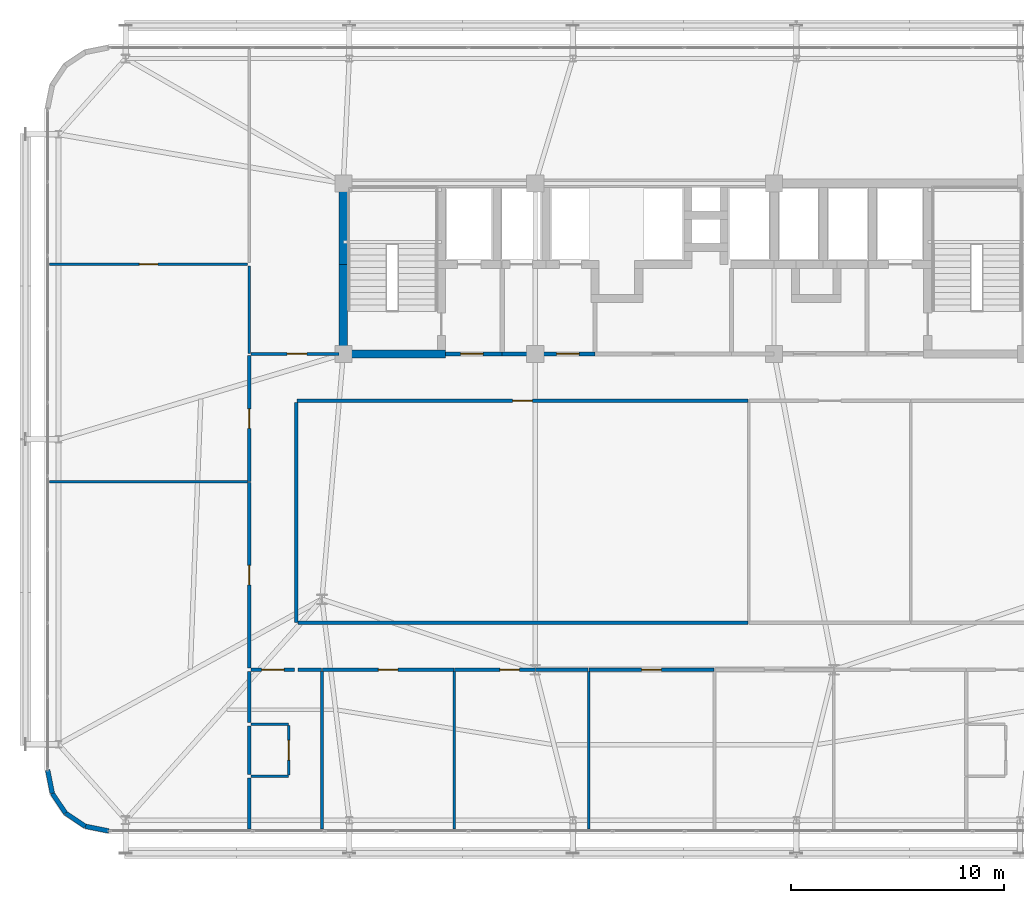
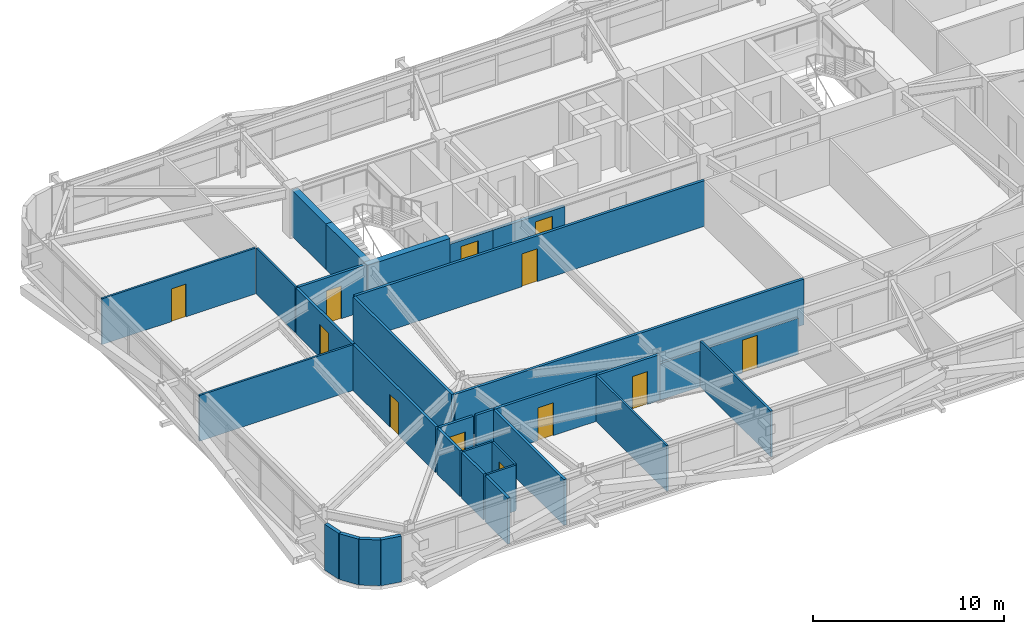
# One storey, part 52 of 58: 33 walls, 12 doors, 12 openings.
"""IFC4 building model written with IfcOpenShell, lengths in metres."""

from ifc_helpers import new_model, si_unit, direction, frame, frame_2d, origin, place, context, subcontext, project, spatial, rectangle, extrude, source, transform, mapped, material, layer, layer_set, type_object, element, fill, save


model = new_model("IFC4")

# Units and contexts
model_context = context("Model", 3, precision=1e-05, world=origin(), true_north=direction((0.0, 1.0)))
body_context = subcontext(model_context, "Body", "Model", "MODEL_VIEW")
ifc_project = project(units=[si_unit("LENGTHUNIT", "METRE"), si_unit("AREAUNIT", "SQUARE_METRE"), si_unit("VOLUMEUNIT", "CUBIC_METRE"), si_unit("PLANEANGLEUNIT", "RADIAN"), si_unit("MASSUNIT", "GRAM", prefix="KILO")], contexts=[model_context])

# Site, building, storey
site_placement = place(None, origin())
site = spatial("IfcSite", under=ifc_project, at=site_placement, CompositionType="ELEMENT")
building_placement = place(site_placement, origin())
building = spatial("IfcBuilding", under=site, at=building_placement, Name="Taldren Reach Tower", CompositionType="ELEMENT")
storey_placement = place(building_placement, frame((0.0, 0.0, 54.60009765625)))
storey = spatial("IfcBuildingStorey", under=building, at=storey_placement, Name="L16", CompositionType="ELEMENT", Elevation=54.60009765625)

# Walls
ifc_material_1 = material(Name="Pale Champagne Anodised Aluminium Cladding", Category="aluminium")
ifc_layer_1 = layer(ifc_material_1, 0.04, Name="Pale Champagne Anodised Aluminium Cladding", Category="aluminium")
ifc_material_2 = material(Name="Mineral Wool Acoustic Insulation", Category="insulation")
ifc_layer_2 = layer(ifc_material_2, 0.06, Name="Mineral Wool Acoustic Insulation", Category="insulation")
ifc_material_3 = material(Name="Steel Gr 350 (C350L0)", Category="steel")
ifc_layer_3 = layer(ifc_material_3, 0.12, Name="Steel Gr 350 (C350L0)", Category="steel")
ifc_layer_set_1 = layer_set([ifc_layer_1, ifc_layer_2, ifc_layer_3], Name="Pale Champagne Aluminium Cladding and Steel Gr 350 Stud Framing")
wall_type_1 = type_object("IfcWallType", Name="EW-CRN-220", PredefinedType="SOLIDWALL", material=ifc_layer_set_1)
shared_shape_1 = source(origin(), body_context, "Body", "SweptSolid", [
    extrude(rectangle(XDim=1.115966796875, YDim=0.219970703125, at=frame_2d((0.55810546875, 0.0))), origin(), (0.0, 0.0, 1.0), 2.929931640625),
])
for number, where, z_axis, x_axis, name in (
    (1, (5.139892578125, 4.5, 0.0), (0.0, 0.0, 1.0), (0.195148375659, -0.98077373103, 0.0), "Rounded-corner pale-metal facade wall L16-SW1"),
    (2, (5.357666015625, 3.405517578125, 0.0), (0.0, 0.0, 1.0), (0.555709556774, -0.83137650226, 0.0), "Rounded-corner pale-metal facade wall L16-SW2"),
    (3, (5.977783203125, 2.477783203125, 0.0), (0.0, 0.0, 1.0), (0.83137650226, -0.555709556774, 0.0), "Rounded-corner pale-metal facade wall L16-SW3"),
    (4, (6.905517578125, 1.857666015625, 0.0), (0.0, 0.0, 1.0), (0.98077373103, -0.195148375659, 0.0), "Rounded-corner pale-metal facade wall L16-SW4"),
):
    element("IfcWall", number, at=place(storey_placement, frame(where, z_axis=z_axis, x_axis=x_axis)), inside=storey, type_object=wall_type_1, Name=name, PredefinedType="SOLIDWALL", context=body_context, shape_type="MappedRepresentation", body=[
        mapped(shared_shape_1, transform((0.0, 0.0, 0.0), scale=1.0)),
    ])
ifc_material_4 = material(Name="Concrete S80 (80 MPa)", Category="concrete")
ifc_layer_4 = layer(ifc_material_4, 0.3798828125)
ifc_layer_set_2 = layer_set([ifc_layer_4], Name="Concrete S80 (80 MPa)")
wall_type_2 = type_object("IfcWallType", Name="IW-CORE-380", PredefinedType="SHEAR", material=ifc_layer_set_2)
shared_shape_2 = source(origin(), body_context, "Body", "SweptSolid", [
    extrude(rectangle(XDim=4.010009765625, YDim=0.3798828125, at=frame_2d((2.0048828125, 0.0))), origin(), (0.0, 0.0, 1.0), 2.929931640625),
])
wall_1_placement = place(storey_placement, frame((19.0, 24.18994140625, 0.0), z_axis=(0.0, 0.0, 1.0), x_axis=(0.0, 1.0, 0.0)))
element("IfcWall", 5, at=wall_1_placement, inside=storey, type_object=wall_type_2, Name="Rear Core Shear Wall W-CORE-L16-WEST1", PredefinedType="SHEAR", context=body_context, shape_type="MappedRepresentation", body=[
    mapped(shared_shape_2, transform((0.0, 0.0, 0.0), scale=1.0)),
])
shared_shape_3 = source(origin(), body_context, "Body", "SweptSolid", [
    extrude(rectangle(XDim=3.610107421875, YDim=0.3798828125, at=frame_2d((1.80517578125, 0.0))), origin(), (0.0, 0.0, 1.0), 2.929931640625),
])
wall_2_placement = place(storey_placement, frame((19.0, 28.199951171875, 0.0), z_axis=(0.0, 0.0, 1.0), x_axis=(0.0, 1.0, 0.0)))
element("IfcWall", 6, at=wall_2_placement, inside=storey, type_object=wall_type_2, Name="Rear Core Shear Wall W-CORE-L16-WEST2", PredefinedType="SHEAR", context=body_context, shape_type="MappedRepresentation", body=[
    mapped(shared_shape_3, transform((0.0, 0.0, 0.0), scale=1.0)),
])
shared_shape_4 = source(origin(), body_context, "Body", "SweptSolid", [
    extrude(rectangle(XDim=4.97998046875, YDim=0.3798828125, at=frame_2d((2.489990234375, 0.0))), origin(), (0.0, 0.0, 1.0), 2.929931640625),
])
wall_3_placement = place(storey_placement, frame((18.81005859375, 24.0, 0.0), z_axis=(0.0, 0.0, 1.0), x_axis=(1.0, 0.0, 0.0)))
element("IfcWall", 7, at=wall_3_placement, inside=storey, type_object=wall_type_2, Name="Rear Core Shear Wall W-INT-L16-003", PredefinedType="SHEAR", context=body_context, shape_type="MappedRepresentation", body=[
    mapped(shared_shape_4, transform((0.0, 0.0, 0.0), scale=1.0)),
])

# Wall, opening, door
ifc_material_5 = material(Name="Concrete S50 (50 MPa)", Category="concrete")
ifc_layer_5 = layer(ifc_material_5, 0.199951171875)
ifc_layer_set_3 = layer_set([ifc_layer_5], Name="Concrete S50 (50 MPa)")
wall_type_3 = type_object("IfcWallType", Name="IW-CORE-200", PredefinedType="SOLIDWALL", material=ifc_layer_set_3)
shared_shape_5 = source(origin(), body_context, "Body", "SweptSolid", [
    extrude(rectangle(XDim=2.659912109375, YDim=0.199951171875, at=frame_2d((1.330078125, 0.0))), origin(), (0.0, 0.0, 1.0), 2.469970703125),
])
wall_4_placement = place(storey_placement, frame((23.7900390625, 24.0, 0.0), z_axis=(0.0, 0.0, 1.0), x_axis=(1.0, 0.0, 0.0)))
wall_4 = element("IfcWall", 8, at=wall_4_placement, inside=storey, type_object=wall_type_3, Name="Rear Core Shear Wall W-INT-L16-007", PredefinedType="SOLIDWALL", context=body_context, shape_type="MappedRepresentation", body=[
    mapped(shared_shape_5, transform((0.0, 0.0, 0.0), scale=1.0)),
])
shared_shape_6 = source(origin(), body_context, "Body", "SweptSolid", [
    extrude(rectangle(XDim=1.050048828125, YDim=2.10009765625, at=frame_2d((0.52490234375, 1.050048828125))), frame((0.0, 0.10986328125, 0.0), z_axis=(0.0, -1.0, 0.0), x_axis=(1.0, 0.0, 0.0)), (0.0, 0.0, 1.0), 0.219970703125),
])
opening_1_placement = place(wall_4_placement, frame((0.7099609375, 0.0, 0.0)))
opening_1 = element("IfcOpeningElement", 9, at=opening_1_placement, cuts=wall_4, Name="Opening DF-105", PredefinedType="OPENING", context=body_context, shape_type="MappedRepresentation", body=[
    mapped(shared_shape_6, transform((0.0, 0.0, 0.0), scale=1.0)),
])
ifc_material_6 = material(Name="Fire-Rated Care and Stair Exit Door")
door_type_1 = type_object("IfcDoorType", Name="ID-FIRE-105", OperationType="NOTDEFINED", PredefinedType="DOOR", material=ifc_material_6)
shared_shape_7 = source(origin(), body_context, "Body", "SweptSolid", [
    extrude(rectangle(XDim=1.050048828125, YDim=2.10009765625, at=frame_2d((0.52490234375, 1.050048828125))), frame((0.0, 0.02490234375, 0.0), z_axis=(0.0, -1.0, 0.0), x_axis=(1.0, 0.0, 0.0)), (0.0, 0.0, 1.0), 0.050048828125),
])
door_1_placement = place(opening_1_placement, origin())
door_1 = element("IfcDoor", 10, at=door_1_placement, inside=storey, type_object=door_type_1, Name="Interior Door DR-L16-002", OperationType="SINGLE_SWING_LEFT", OverallHeight=2.10009765625, OverallWidth=1.050048828125, PredefinedType="DOOR", context=body_context, shape_type="MappedRepresentation", body=[
    mapped(shared_shape_7, transform((0.0, 0.0, 0.0), scale=1.0)),
])
fill(opening_1, door_1)

shared_shape_8 = source(origin(), body_context, "Body", "SweptSolid", [
    extrude(rectangle(XDim=4.35009765625, YDim=0.199951171875, at=frame_2d((2.175048828125, 0.0))), origin(), (0.0, 0.0, 1.0), 2.469970703125),
])
wall_5_placement = place(storey_placement, frame((30.800048828125, 24.0, 0.0), z_axis=(0.0, 0.0, 1.0), x_axis=(-1.0, 0.0, 0.0)))
wall_5 = element("IfcWall", 11, at=wall_5_placement, inside=storey, type_object=wall_type_3, Name="Rear Core Shear Wall W-INT-L16-033", PredefinedType="SOLIDWALL", context=body_context, shape_type="MappedRepresentation", body=[
    mapped(shared_shape_8, transform((0.0, 0.0, 0.0), scale=1.0)),
])
opening_2_placement = place(wall_5_placement, frame((0.75, 0.0, 0.0)))
opening_2 = element("IfcOpeningElement", 12, at=opening_2_placement, cuts=wall_5, Name="Opening DF-105", PredefinedType="OPENING", context=body_context, shape_type="MappedRepresentation", body=[
    mapped(shared_shape_6, transform((0.0, 0.0, 0.0), scale=1.0)),
])
door_2_placement = place(opening_2_placement, frame((1.050048828125, 0.0, 0.0), z_axis=(0.0, 0.0, 1.0), x_axis=(-1.0, 0.0, 0.0)))
door_2 = element("IfcDoor", 13, at=door_2_placement, inside=storey, type_object=door_type_1, Name="Interior Door DR-L16-005", OperationType="SINGLE_SWING_RIGHT", OverallHeight=2.10009765625, OverallWidth=1.050048828125, PredefinedType="DOOR", context=body_context, shape_type="MappedRepresentation", body=[
    mapped(shared_shape_7, transform((0.0, 0.0, 0.0), scale=1.0)),
])
fill(opening_2, door_2)

# Wall
ifc_material_7 = material(Name="Fire-Rated Acoustic Plasterboard Stud Wall", Category="gypsum")
ifc_layer_6 = layer(ifc_material_7, 0.159912109375)
ifc_layer_set_4 = layer_set([ifc_layer_6], Name="Fire-Rated Acoustic Plasterboard Stud Wall")
wall_type_4 = type_object("IfcWallType", Name="IW-FIRE-160", PredefinedType="PARTITIONING", material=ifc_layer_set_4)
shared_shape_9 = source(origin(), body_context, "Body", "SweptSolid", [
    extrude(rectangle(XDim=10.2998046875, YDim=0.159912109375, at=frame_2d((5.14990234375, 0.0))), origin(), (0.0, 0.0, 1.0), 2.929931640625),
])
wall_6_placement = place(storey_placement, frame((16.800048828125, 21.719970703125, 0.0), z_axis=(0.0, 0.0, 1.0), x_axis=(0.0, -1.0, 0.0)))
element("IfcWall", 14, at=wall_6_placement, inside=storey, type_object=wall_type_4, Name="Interior Partition Wall W-INT-L16-046", PredefinedType="PARTITIONING", context=body_context, shape_type="MappedRepresentation", body=[
    mapped(shared_shape_9, transform((0.0, 0.0, 0.0), scale=1.0)),
])

# Wall, opening, door
shared_shape_10 = source(origin(), body_context, "Body", "SweptSolid", [
    extrude(rectangle(XDim=2.0400390625, YDim=0.159912109375, at=frame_2d((1.02001953125, 0.0))), origin(), (0.0, 0.0, 1.0), 2.929931640625),
])
wall_7_placement = place(storey_placement, frame((16.719970703125, 9.199951171875, 0.0), z_axis=(0.0, 0.0, 1.0), x_axis=(-1.0, 0.0, 0.0)))
wall_7 = element("IfcWall", 15, at=wall_7_placement, inside=storey, type_object=wall_type_4, Name="Interior Partition Wall W-INT-L16-050", PredefinedType="PARTITIONING", context=body_context, shape_type="MappedRepresentation", body=[
    mapped(shared_shape_10, transform((0.0, 0.0, 0.0), scale=1.0)),
])
shared_shape_11 = source(origin(), body_context, "Body", "SweptSolid", [
    extrude(rectangle(XDim=1.050048828125, YDim=2.10009765625, at=frame_2d((0.52490234375, 1.050048828125))), frame((0.0, 0.08984375, 0.0), z_axis=(0.0, -1.0, 0.0), x_axis=(1.0, 0.0, 0.0)), (0.0, 0.0, 1.0), 0.179931640625),
])
opening_3_placement = place(wall_7_placement, frame((0.4951171875, 0.0, 0.0)))
opening_3 = element("IfcOpeningElement", 16, at=opening_3_placement, cuts=wall_7, Name="Opening DF-105", PredefinedType="OPENING", context=body_context, shape_type="MappedRepresentation", body=[
    mapped(shared_shape_11, transform((0.0, 0.0, 0.0), scale=1.0)),
])
door_3_placement = place(opening_3_placement, origin())
door_3 = element("IfcDoor", 17, at=door_3_placement, inside=storey, type_object=door_type_1, Name="Interior Door DR-L16-011", OperationType="SINGLE_SWING_RIGHT", OverallHeight=2.10009765625, OverallWidth=1.050048828125, PredefinedType="DOOR", context=body_context, shape_type="MappedRepresentation", body=[
    mapped(shared_shape_7, transform((0.0, 0.0, 0.0), scale=1.0)),
])
fill(opening_3, door_3)

shared_shape_12 = source(origin(), body_context, "Body", "SweptSolid", [
    extrude(rectangle(XDim=4.130126953125, YDim=0.159912109375, at=frame_2d((2.06494140625, 0.0))), origin(), (0.0, 0.0, 1.0), 2.929931640625),
])
wall_8_placement = place(storey_placement, frame((14.679931640625, 24.0, 0.0), z_axis=(0.0, 0.0, 1.0), x_axis=(1.0, 0.0, 0.0)))
wall_8 = element("IfcWall", 18, at=wall_8_placement, inside=storey, type_object=wall_type_4, Name="Interior Partition Wall W-INT-L16-058", PredefinedType="PARTITIONING", context=body_context, shape_type="MappedRepresentation", body=[
    mapped(shared_shape_12, transform((0.0, 0.0, 0.0), scale=1.0)),
])
shared_shape_13 = source(origin(), body_context, "Body", "SweptSolid", [
    extrude(rectangle(XDim=0.919921875, YDim=2.10009765625, at=frame_2d((0.4599609375, 1.050048828125))), frame((0.0, 0.08984375, 0.0), z_axis=(0.0, -1.0, 0.0), x_axis=(1.0, 0.0, 0.0)), (0.0, 0.0, 1.0), 0.179931640625),
])
opening_4_placement = place(wall_8_placement, frame((1.68994140625, 0.0, 0.0)))
opening_4 = element("IfcOpeningElement", 19, at=opening_4_placement, cuts=wall_8, Name="Opening DI-092", PredefinedType="OPENING", context=body_context, shape_type="MappedRepresentation", body=[
    mapped(shared_shape_13, transform((0.0, 0.0, 0.0), scale=1.0)),
])
ifc_material_8 = material(Name="Solid-Core Timber Suite Door", Category="wood")
door_type_2 = type_object("IfcDoorType", Name="ID-INT-092", OperationType="NOTDEFINED", PredefinedType="DOOR", material=ifc_material_8)
shared_shape_14 = source(origin(), body_context, "Body", "SweptSolid", [
    extrude(rectangle(XDim=0.919921875, YDim=2.10009765625, at=frame_2d((0.4599609375, 1.050048828125))), frame((0.0, 0.02490234375, 0.0), z_axis=(0.0, -1.0, 0.0), x_axis=(1.0, 0.0, 0.0)), (0.0, 0.0, 1.0), 0.050048828125),
])
door_4_placement = place(opening_4_placement, origin())
door_4 = element("IfcDoor", 20, at=door_4_placement, inside=storey, type_object=door_type_2, Name="Interior Door DR-L16-019", OperationType="SINGLE_SWING_RIGHT", OverallHeight=2.10009765625, OverallWidth=0.919921875, PredefinedType="DOOR", context=body_context, shape_type="MappedRepresentation", body=[
    mapped(shared_shape_14, transform((0.0, 0.0, 0.0), scale=1.0)),
])
fill(opening_4, door_4)

# Walls
ifc_material_9 = material(Name="Insulated Residential Stud Partition", Category="gypsum")
ifc_layer_7 = layer(ifc_material_9, 0.1201171875)
ifc_layer_set_5 = layer_set([ifc_layer_7], Name="Insulated Residential Stud Partition")
wall_type_5 = type_object("IfcWallType", Name="IW-PART-120", PredefinedType="PARTITIONING", material=ifc_layer_set_5)
shared_shape_15 = source(origin(), body_context, "Body", "SweptSolid", [
    extrude(rectangle(XDim=7.39013671875, YDim=0.1201171875, at=frame_2d((3.695068359375, 0.0))), origin(), (0.0, 0.0, 1.0), 2.929931640625),
])
for number, where, z_axis, x_axis, name in (
    (21, (24.199951171875, 9.1201171875, 0.0), (0.0, 0.0, 1.0), (0.0, -1.0, 0.0), "Interior Partition Wall W-INT-L16-080"),
    (22, (30.5, 9.1201171875, 0.0), (0.0, 0.0, 1.0), (0.0, -1.0, 0.0), "Interior Partition Wall W-INT-L16-081"),
):
    element("IfcWall", number, at=place(storey_placement, frame(where, z_axis=z_axis, x_axis=x_axis)), inside=storey, type_object=wall_type_5, Name=name, PredefinedType="PARTITIONING", context=body_context, shape_type="MappedRepresentation", body=[
        mapped(shared_shape_15, transform((0.0, 0.0, 0.0), scale=1.0)),
    ])
shared_shape_16 = source(origin(), body_context, "Body", "SweptSolid", [
    extrude(rectangle(XDim=1.099853515625, YDim=0.159912109375, at=frame_2d((0.5498046875, 0.0))), origin(), (0.0, 0.0, 1.0), 2.929931640625),
])
wall_9_placement = place(storey_placement, frame((17.979736328125, 9.199951171875, 0.0), z_axis=(0.0, 0.0, 1.0), x_axis=(-1.0, 0.0, 0.0)))
element("IfcWall", 23, at=wall_9_placement, inside=storey, type_object=wall_type_4, Name="Interior Partition Wall W-INT-L16-063", PredefinedType="PARTITIONING", context=body_context, shape_type="MappedRepresentation", body=[
    mapped(shared_shape_16, transform((0.0, 0.0, 0.0), scale=1.0)),
])

# Wall, opening, door
shared_shape_17 = source(origin(), body_context, "Body", "SweptSolid", [
    extrude(rectangle(XDim=2.330078125, YDim=0.1201171875, at=frame_2d((1.1650390625, 0.0))), origin(), (0.0, 0.0, 1.0), 2.929931640625),
])
wall_10_placement = place(storey_placement, frame((16.449951171875, 4.260009765625, 0.0), z_axis=(0.0, 0.0, 1.0), x_axis=(0.0, 1.0, 0.0)))
wall_10 = element("IfcWall", 24, at=wall_10_placement, inside=storey, type_object=wall_type_5, Name="Interior Partition Wall W-INT-L16-073", PredefinedType="PARTITIONING", context=body_context, shape_type="MappedRepresentation", body=[
    mapped(shared_shape_17, transform((0.0, 0.0, 0.0), scale=1.0)),
])
shared_shape_18 = source(origin(), body_context, "Body", "SweptSolid", [
    extrude(rectangle(XDim=0.919921875, YDim=2.10009765625, at=frame_2d((0.4599609375, 1.050048828125))), frame((0.0, 0.070068359375, 0.0), z_axis=(0.0, -1.0, 0.0), x_axis=(1.0, 0.0, 0.0)), (0.0, 0.0, 1.0), 0.14013671875),
])
opening_5_placement = place(wall_10_placement, frame((0.705078125, 0.0, 0.0)))
opening_5 = element("IfcOpeningElement", 25, at=opening_5_placement, cuts=wall_10, Name="Opening DI-092", PredefinedType="OPENING", context=body_context, shape_type="MappedRepresentation", body=[
    mapped(shared_shape_18, transform((0.0, 0.0, 0.0), scale=1.0)),
])
door_5_placement = place(opening_5_placement, origin())
door_5 = element("IfcDoor", 26, at=door_5_placement, inside=storey, type_object=door_type_2, Name="Interior Door DR-L16-026", OperationType="SINGLE_SWING_LEFT", OverallHeight=2.10009765625, OverallWidth=0.919921875, PredefinedType="DOOR", context=body_context, shape_type="MappedRepresentation", body=[
    mapped(shared_shape_14, transform((0.0, 0.0, 0.0), scale=1.0)),
])
fill(opening_5, door_5)

# Walls
shared_shape_19 = source(origin(), body_context, "Body", "SweptSolid", [
    extrude(rectangle(XDim=1.749755859375, YDim=0.1201171875, at=frame_2d((0.875, 0.0))), origin(), (0.0, 0.0, 1.0), 2.929931640625),
])
for number, where, z_axis, x_axis, name in (
    (27, (14.679931640625, 4.199951171875, 0.0), (0.0, 0.0, 1.0), (1.0, 0.0, 0.0), "Interior Partition Wall W-INT-L16-074"),
    (28, (16.4296875, 6.64990234375, 0.0), (0.0, 0.0, 1.0), (-1.0, 0.0, 0.0), "Interior Partition Wall W-INT-L16-075"),
):
    element("IfcWall", number, at=place(storey_placement, frame(where, z_axis=z_axis, x_axis=x_axis)), inside=storey, type_object=wall_type_5, Name=name, PredefinedType="PARTITIONING", context=body_context, shape_type="MappedRepresentation", body=[
        mapped(shared_shape_19, transform((0.0, 0.0, 0.0), scale=1.0)),
    ])
shared_shape_20 = source(origin(), body_context, "Body", "SweptSolid", [
    extrude(rectangle(XDim=2.38818359375, YDim=0.159912109375, at=frame_2d((1.194091796875, 0.0))), origin(), (0.0, 0.0, 1.0), 2.929931640625),
])
wall_11_placement = place(storey_placement, frame((14.60009765625, 1.73193359375, 0.0), z_axis=(0.0, 0.0, 1.0), x_axis=(0.0, 1.0, 0.0)))
element("IfcWall", 29, at=wall_11_placement, inside=storey, type_object=wall_type_4, Name="Interior Partition Wall W-INT-L16-077", PredefinedType="PARTITIONING", context=body_context, shape_type="MappedRepresentation", body=[
    mapped(shared_shape_20, transform((0.0, 0.0, 0.0), scale=1.0)),
])
shared_shape_21 = source(origin(), body_context, "Body", "SweptSolid", [
    extrude(rectangle(XDim=2.387939453125, YDim=0.159912109375, at=frame_2d((1.19384765625, 0.0))), origin(), (0.0, 0.0, 1.0), 2.929931640625),
])
wall_12_placement = place(storey_placement, frame((14.60009765625, 6.72998046875, 0.0), z_axis=(0.0, 0.0, 1.0), x_axis=(0.0, 1.0, 0.0)))
element("IfcWall", 30, at=wall_12_placement, inside=storey, type_object=wall_type_4, Name="Interior Partition Wall W-INT-L16-078", PredefinedType="PARTITIONING", context=body_context, shape_type="MappedRepresentation", body=[
    mapped(shared_shape_21, transform((0.0, 0.0, 0.0), scale=1.0)),
])
shared_shape_22 = source(origin(), body_context, "Body", "SweptSolid", [
    extrude(rectangle(XDim=2.2900390625, YDim=0.159912109375, at=frame_2d((1.14501953125, 0.0))), origin(), (0.0, 0.0, 1.0), 2.929931640625),
])
wall_13_placement = place(storey_placement, frame((14.60009765625, 4.280029296875, 0.0), z_axis=(0.0, 0.0, 1.0), x_axis=(0.0, 1.0, 0.0)))
element("IfcWall", 31, at=wall_13_placement, inside=storey, type_object=wall_type_4, Name="Interior Partition Wall W-INT-L16-079", PredefinedType="PARTITIONING", context=body_context, shape_type="MappedRepresentation", body=[
    mapped(shared_shape_22, transform((0.0, 0.0, 0.0), scale=1.0)),
])
shared_shape_23 = source(origin(), body_context, "Body", "SweptSolid", [
    extrude(rectangle(XDim=7.385986328125, YDim=0.159912109375, at=frame_2d((3.69287109375, 0.0))), origin(), (0.0, 0.0, 1.0), 2.929931640625),
])
wall_14_placement = place(storey_placement, frame((18.0, 9.117919921875, 0.0), z_axis=(0.0, 0.0, 1.0), x_axis=(0.0, -1.0, 0.0)))
element("IfcWall", 32, at=wall_14_placement, inside=storey, type_object=wall_type_4, Name="Interior Partition Wall W-INT-L16-076", PredefinedType="PARTITIONING", context=body_context, shape_type="MappedRepresentation", body=[
    mapped(shared_shape_23, transform((0.0, 0.0, 0.0), scale=1.0)),
])
shared_shape_24 = source(origin(), body_context, "Body", "SweptSolid", [
    extrude(rectangle(XDim=9.2861328125, YDim=0.1201171875, at=frame_2d((4.64306640625, 0.0))), origin(), (0.0, 0.0, 1.0), 2.929931640625),
])
wall_15_placement = place(storey_placement, frame((5.23193359375, 18.0, 0.0), z_axis=(0.0, 0.0, 1.0), x_axis=(1.0, 0.0, 0.0)))
element("IfcWall", 33, at=wall_15_placement, inside=storey, type_object=wall_type_5, Name="Interior Partition Wall W-INT-L16-097", PredefinedType="PARTITIONING", context=body_context, shape_type="MappedRepresentation", body=[
    mapped(shared_shape_24, transform((0.0, 0.0, 0.0), scale=1.0)),
])

# Wall, opening, door
wall_16_placement = place(storey_placement, frame((5.23193359375, 28.199951171875, 0.0), z_axis=(0.0, 0.0, 1.0), x_axis=(1.0, 0.0, 0.0)))
wall_16 = element("IfcWall", 34, at=wall_16_placement, inside=storey, type_object=wall_type_5, Name="Interior Partition Wall W-INT-L16-098", PredefinedType="PARTITIONING", context=body_context, shape_type="MappedRepresentation", body=[
    mapped(shared_shape_24, transform((0.0, 0.0, 0.0), scale=1.0)),
])
shared_shape_25 = source(origin(), body_context, "Body", "SweptSolid", [
    extrude(rectangle(XDim=0.860107421875, YDim=2.10009765625, at=frame_2d((0.43017578125, 1.050048828125))), frame((0.0, 0.070068359375, 0.0), z_axis=(0.0, -1.0, 0.0), x_axis=(1.0, 0.0, 0.0)), (0.0, 0.0, 1.0), 0.14013671875),
])
opening_6_placement = place(wall_16_placement, frame((4.212890625, 0.0, 0.0)))
opening_6 = element("IfcOpeningElement", 35, at=opening_6_placement, cuts=wall_16, Name="Opening DI-086", PredefinedType="OPENING", context=body_context, shape_type="MappedRepresentation", body=[
    mapped(shared_shape_25, transform((0.0, 0.0, 0.0), scale=1.0)),
])
ifc_material_10 = material(Name="Timber Bathroom Door", Category="wood")
door_type_3 = type_object("IfcDoorType", Name="ID-INT-086", OperationType="NOTDEFINED", PredefinedType="DOOR", material=ifc_material_10)
shared_shape_26 = source(origin(), body_context, "Body", "SweptSolid", [
    extrude(rectangle(XDim=0.860107421875, YDim=2.10009765625, at=frame_2d((0.43017578125, 1.050048828125))), frame((0.0, 0.02490234375, 0.0), z_axis=(0.0, -1.0, 0.0), x_axis=(1.0, 0.0, 0.0)), (0.0, 0.0, 1.0), 0.050048828125),
])
door_6_placement = place(opening_6_placement, origin())
door_6 = element("IfcDoor", 36, at=door_6_placement, inside=storey, type_object=door_type_3, Name="Interior Door DR-L16-029", OperationType="SINGLE_SWING_RIGHT", OverallHeight=2.10009765625, OverallWidth=0.860107421875, PredefinedType="DOOR", context=body_context, shape_type="MappedRepresentation", body=[
    mapped(shared_shape_26, transform((0.0, 0.0, 0.0), scale=1.0)),
])
fill(opening_6, door_6)

shared_shape_27 = source(origin(), body_context, "Body", "SweptSolid", [
    extrude(rectangle(XDim=21.159423828125, YDim=0.159912109375, at=frame_2d((10.57958984375, 0.0))), origin(), (0.0, 0.0, 1.0), 2.929931640625),
])
wall_17_placement = place(storey_placement, frame((37.979736328125, 21.800048828125, 0.0), z_axis=(0.0, 0.0, 1.0), x_axis=(-1.0, 0.0, 0.0)))
wall_17 = element("IfcWall", 37, at=wall_17_placement, inside=storey, type_object=wall_type_4, Name="Interior Partition Wall W-INT-L16-045", PredefinedType="PARTITIONING", context=body_context, shape_type="MappedRepresentation", body=[
    mapped(shared_shape_27, transform((0.0, 0.0, 0.0), scale=1.0)),
])
opening_7_placement = place(wall_17_placement, frame((10.119873046875, 0.0, 0.0)))
opening_7 = element("IfcOpeningElement", 38, at=opening_7_placement, cuts=wall_17, Name="Opening DI-092", PredefinedType="OPENING", context=body_context, shape_type="MappedRepresentation", body=[
    mapped(shared_shape_13, transform((0.0, 0.0, 0.0), scale=1.0)),
])
door_7_placement = place(opening_7_placement, origin())
door_7 = element("IfcDoor", 39, at=door_7_placement, inside=storey, type_object=door_type_2, Name="Interior Door DR-L16-008", OperationType="SINGLE_SWING_LEFT", OverallHeight=2.10009765625, OverallWidth=0.919921875, PredefinedType="DOOR", context=body_context, shape_type="MappedRepresentation", body=[
    mapped(shared_shape_14, transform((0.0, 0.0, 0.0), scale=1.0)),
])
fill(opening_7, door_7)

shared_shape_28 = source(origin(), body_context, "Body", "SweptSolid", [
    extrude(rectangle(XDim=8.69970703125, YDim=0.159912109375, at=frame_2d((4.349853515625, 0.0))), origin(), (0.0, 0.0, 1.0), 2.929931640625),
])
wall_18_placement = place(storey_placement, frame((14.60009765625, 9.280029296875, 0.0), z_axis=(0.0, 0.0, 1.0), x_axis=(0.0, 1.0, 0.0)))
wall_18 = element("IfcWall", 40, at=wall_18_placement, inside=storey, type_object=wall_type_4, Name="Interior Partition Wall W-INT-L16-052", PredefinedType="PARTITIONING", context=body_context, shape_type="MappedRepresentation", body=[
    mapped(shared_shape_28, transform((0.0, 0.0, 0.0), scale=1.0)),
])
opening_8_placement = place(wall_18_placement, frame((3.889892578125, 0.0, 0.0)))
opening_8 = element("IfcOpeningElement", 41, at=opening_8_placement, cuts=wall_18, Name="Opening DI-092", PredefinedType="OPENING", context=body_context, shape_type="MappedRepresentation", body=[
    mapped(shared_shape_13, transform((0.0, 0.0, 0.0), scale=1.0)),
])
door_8_placement = place(opening_8_placement, origin())
door_8 = element("IfcDoor", 42, at=door_8_placement, inside=storey, type_object=door_type_2, Name="Interior Door DR-L16-013", OperationType="SINGLE_SWING_RIGHT", OverallHeight=2.10009765625, OverallWidth=0.919921875, PredefinedType="DOOR", context=body_context, shape_type="MappedRepresentation", body=[
    mapped(shared_shape_14, transform((0.0, 0.0, 0.0), scale=1.0)),
])
fill(opening_8, door_8)

shared_shape_29 = source(origin(), body_context, "Body", "SweptSolid", [
    extrude(rectangle(XDim=5.899658203125, YDim=0.159912109375, at=frame_2d((2.94970703125, 0.0))), origin(), (0.0, 0.0, 1.0), 2.929931640625),
])
wall_19_placement = place(storey_placement, frame((14.60009765625, 18.020263671875, 0.0), z_axis=(0.0, 0.0, 1.0), x_axis=(0.0, 1.0, 0.0)))
wall_19 = element("IfcWall", 43, at=wall_19_placement, inside=storey, type_object=wall_type_4, Name="Interior Partition Wall W-INT-L16-053", PredefinedType="PARTITIONING", context=body_context, shape_type="MappedRepresentation", body=[
    mapped(shared_shape_29, transform((0.0, 0.0, 0.0), scale=1.0)),
])
opening_9_placement = place(wall_19_placement, frame((2.489990234375, 0.0, 0.0)))
opening_9 = element("IfcOpeningElement", 44, at=opening_9_placement, cuts=wall_19, Name="Opening DI-092", PredefinedType="OPENING", context=body_context, shape_type="MappedRepresentation", body=[
    mapped(shared_shape_13, transform((0.0, 0.0, 0.0), scale=1.0)),
])
door_9_placement = place(opening_9_placement, origin())
door_9 = element("IfcDoor", 45, at=door_9_placement, inside=storey, type_object=door_type_2, Name="Interior Door DR-L16-014", OperationType="SINGLE_SWING_LEFT", OverallHeight=2.10009765625, OverallWidth=0.919921875, PredefinedType="DOOR", context=body_context, shape_type="MappedRepresentation", body=[
    mapped(shared_shape_14, transform((0.0, 0.0, 0.0), scale=1.0)),
])
fill(opening_9, door_9)

# Wall
shared_shape_30 = source(origin(), body_context, "Body", "SweptSolid", [
    extrude(rectangle(XDim=21.099853515625, YDim=0.159912109375, at=frame_2d((10.5498046875, 0.0))), origin(), (0.0, 0.0, 1.0), 2.929931640625),
])
wall_20_placement = place(storey_placement, frame((16.8798828125, 11.39990234375, 0.0), z_axis=(0.0, 0.0, 1.0), x_axis=(1.0, 0.0, 0.0)))
element("IfcWall", 46, at=wall_20_placement, inside=storey, type_object=wall_type_4, Name="Interior Partition Wall W-INT-L16-060", PredefinedType="PARTITIONING", context=body_context, shape_type="MappedRepresentation", body=[
    mapped(shared_shape_30, transform((0.0, 0.0, 0.0), scale=1.0)),
])

# Wall, opening, door
shared_shape_31 = source(origin(), body_context, "Body", "SweptSolid", [
    extrude(rectangle(XDim=6.159423828125, YDim=0.159912109375, at=frame_2d((3.07958984375, 0.0))), origin(), (0.0, 0.0, 1.0), 2.929931640625),
])
wall_21_placement = place(storey_placement, frame((24.1796875, 9.199951171875, 0.0), z_axis=(0.0, 0.0, 1.0), x_axis=(-1.0, 0.0, 0.0)))
wall_21 = element("IfcWall", 47, at=wall_21_placement, inside=storey, type_object=wall_type_4, Name="Interior Partition Wall W-INT-L16-064", PredefinedType="PARTITIONING", context=body_context, shape_type="MappedRepresentation", body=[
    mapped(shared_shape_31, transform((0.0, 0.0, 0.0), scale=1.0)),
])
opening_10_placement = place(wall_21_placement, frame((2.619873046875, 0.0, 0.0)))
opening_10 = element("IfcOpeningElement", 48, at=opening_10_placement, cuts=wall_21, Name="Opening DI-092", PredefinedType="OPENING", context=body_context, shape_type="MappedRepresentation", body=[
    mapped(shared_shape_13, transform((0.0, 0.0, 0.0), scale=1.0)),
])
door_10_placement = place(opening_10_placement, origin())
door_10 = element("IfcDoor", 49, at=door_10_placement, inside=storey, type_object=door_type_2, Name="Interior Door DR-L16-020", OperationType="SINGLE_SWING_LEFT", OverallHeight=2.10009765625, OverallWidth=0.919921875, PredefinedType="DOOR", context=body_context, shape_type="MappedRepresentation", body=[
    mapped(shared_shape_14, transform((0.0, 0.0, 0.0), scale=1.0)),
])
fill(opening_10, door_10)

shared_shape_32 = source(origin(), body_context, "Body", "SweptSolid", [
    extrude(rectangle(XDim=3.77978515625, YDim=0.159912109375, at=frame_2d((1.889892578125, 0.0))), origin(), (0.0, 0.0, 1.0), 2.929931640625),
])
wall_22_placement = place(storey_placement, frame((28.0, 9.199951171875, 0.0), z_axis=(0.0, 0.0, 1.0), x_axis=(-1.0, 0.0, 0.0)))
wall_22 = element("IfcWall", 50, at=wall_22_placement, inside=storey, type_object=wall_type_4, Name="Interior Partition Wall W-INT-L16-065 part 2", PredefinedType="PARTITIONING", context=body_context, shape_type="MappedRepresentation", body=[
    mapped(shared_shape_32, transform((0.0, 0.0, 0.0), scale=1.0)),
])
opening_11_placement = place(wall_22_placement, frame((0.739990234375, 0.0, 0.0)))
opening_11 = element("IfcOpeningElement", 51, at=opening_11_placement, cuts=wall_22, Name="Opening DI-092", PredefinedType="OPENING", context=body_context, shape_type="MappedRepresentation", body=[
    mapped(shared_shape_13, transform((0.0, 0.0, 0.0), scale=1.0)),
])
door_11_placement = place(opening_11_placement, origin())
door_11 = element("IfcDoor", 52, at=door_11_placement, inside=storey, type_object=door_type_2, Name="Interior Door DR-L16-021", OperationType="SINGLE_SWING_RIGHT", OverallHeight=2.10009765625, OverallWidth=0.919921875, PredefinedType="DOOR", context=body_context, shape_type="MappedRepresentation", body=[
    mapped(shared_shape_14, transform((0.0, 0.0, 0.0), scale=1.0)),
])
fill(opening_11, door_11)

# Walls
shared_shape_33 = source(origin(), body_context, "Body", "SweptSolid", [
    extrude(rectangle(XDim=4.09765625, YDim=0.1201171875, at=frame_2d((2.048828125, 0.0))), origin(), (0.0, 0.0, 1.0), 2.929931640625),
])
wall_23_placement = place(storey_placement, frame((14.60009765625, 28.117919921875, 0.0), z_axis=(0.0, 0.0, 1.0), x_axis=(0.0, -1.0, 0.0)))
element("IfcWall", 53, at=wall_23_placement, inside=storey, type_object=wall_type_5, Name="Interior Partition Wall W-INT-L16-099", PredefinedType="PARTITIONING", context=body_context, shape_type="MappedRepresentation", body=[
    mapped(shared_shape_33, transform((0.0, 0.0, 0.0), scale=1.0)),
])
shared_shape_34 = source(origin(), body_context, "Body", "SweptSolid", [
    extrude(rectangle(XDim=2.479736328125, YDim=0.159912109375, at=frame_2d((1.23974609375, 0.0))), origin(), (0.0, 0.0, 1.0), 2.327880859375),
])
wall_24_placement = place(storey_placement, frame((30.479736328125, 9.199951171875, 0.0), z_axis=(0.0, 0.0, 1.0), x_axis=(-1.0, 0.0, 0.0)))
element("IfcWall", 54, at=wall_24_placement, inside=storey, type_object=wall_type_4, Name="Interior Partition Wall W-INT-L16-065", PredefinedType="PARTITIONING", context=body_context, shape_type="MappedRepresentation", body=[
    mapped(shared_shape_34, transform((0.0, 0.0, 0.0), scale=1.0)),
])

# Wall, opening, door
shared_shape_35 = source(origin(), body_context, "Body", "SweptSolid", [
    extrude(rectangle(XDim=5.859619140625, YDim=0.159912109375, at=frame_2d((2.9296875, 0.0))), origin(), (0.0, 0.0, 1.0), 2.327880859375),
])
wall_25_placement = place(storey_placement, frame((36.3798828125, 9.199951171875, 0.0), z_axis=(0.0, 0.0, 1.0), x_axis=(-1.0, 0.0, 0.0)))
wall_25 = element("IfcWall", 55, at=wall_25_placement, inside=storey, type_object=wall_type_4, Name="Interior Partition Wall W-INT-L16-066", PredefinedType="PARTITIONING", context=body_context, shape_type="MappedRepresentation", body=[
    mapped(shared_shape_35, transform((0.0, 0.0, 0.0), scale=1.0)),
])
opening_12_placement = place(wall_25_placement, frame((2.4697265625, 0.0, 0.0)))
opening_12 = element("IfcOpeningElement", 56, at=opening_12_placement, cuts=wall_25, Name="Opening DI-092", PredefinedType="OPENING", context=body_context, shape_type="MappedRepresentation", body=[
    mapped(shared_shape_13, transform((0.0, 0.0, 0.0), scale=1.0)),
])
door_12_placement = place(opening_12_placement, origin())
door_12 = element("IfcDoor", 57, at=door_12_placement, inside=storey, type_object=door_type_2, Name="Interior Door DR-L16-022", OperationType="SINGLE_SWING_LEFT", OverallHeight=2.10009765625, OverallWidth=0.919921875, PredefinedType="DOOR", context=body_context, shape_type="MappedRepresentation", body=[
    mapped(shared_shape_14, transform((0.0, 0.0, 0.0), scale=1.0)),
])
fill(opening_12, door_12)

save(model, "model.ifc")
